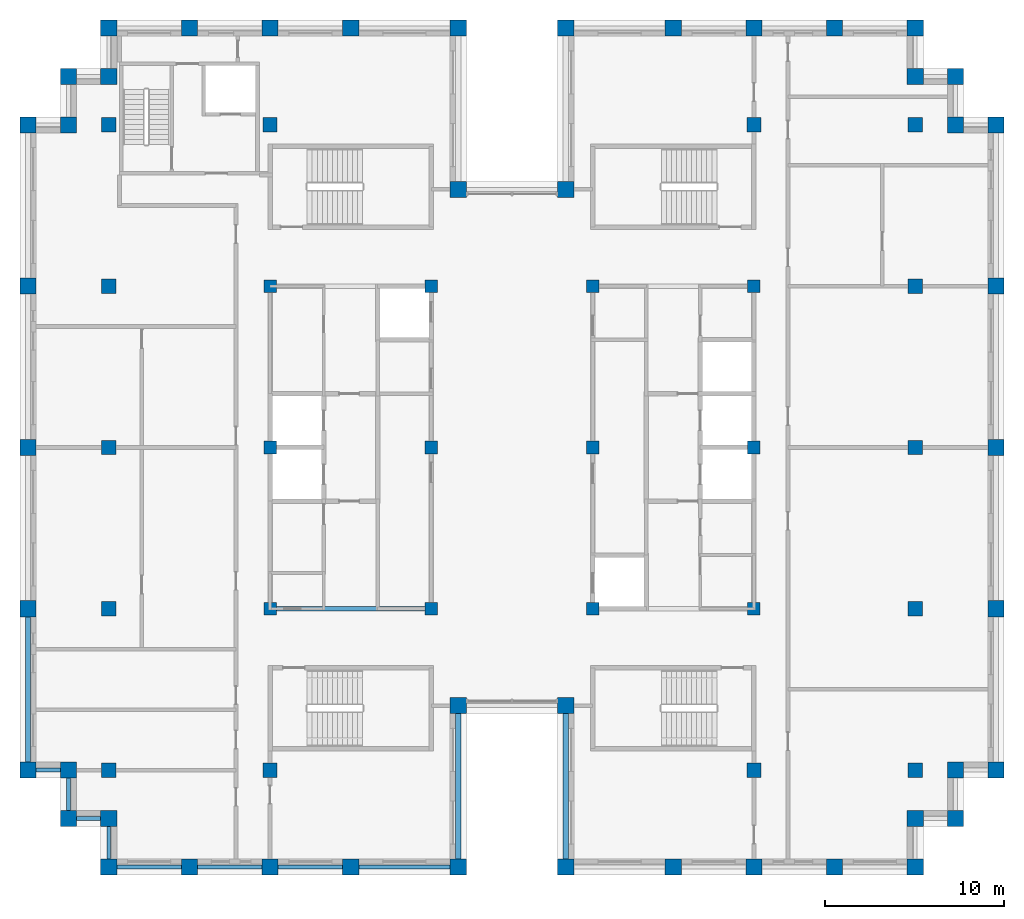
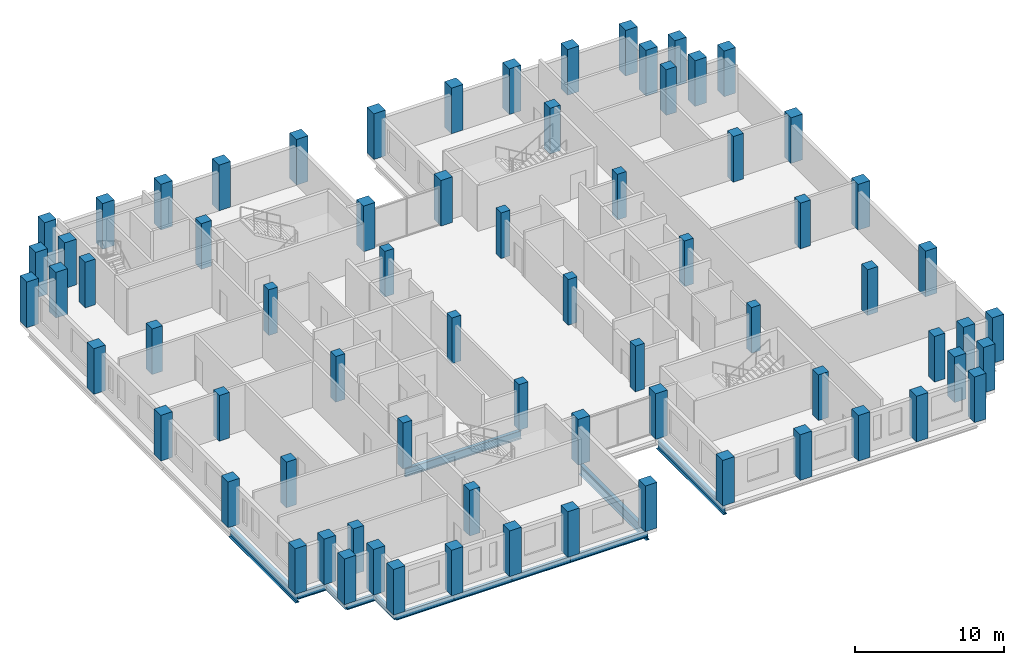
# One storey, part 1 of 13: 72 columns, 12 beams.
"""IFC4 building model written with IfcOpenShell, lengths in metres."""

from ifc_helpers import new_model, si_unit, direction, frame, origin, origin_2d, place, context, subcontext, project, spatial, rectangle, i_section, extrude, material, material_profile, profile_set, type_object, element, save


model = new_model("IFC4")

# Units and contexts
model_context = context("Model", 3, precision=1e-05, world=origin(), true_north=direction((0.0, 1.0)))
body_context = subcontext(model_context, "Body", "Model", "MODEL_VIEW")
ifc_project = project(units=[si_unit("LENGTHUNIT", "METRE"), si_unit("AREAUNIT", "SQUARE_METRE"), si_unit("VOLUMEUNIT", "CUBIC_METRE"), si_unit("PLANEANGLEUNIT", "RADIAN"), si_unit("MASSUNIT", "GRAM", prefix="KILO")], contexts=[model_context])

# Site, building, storey
site_placement = place(None, origin())
site = spatial("IfcSite", under=ifc_project, at=site_placement, CompositionType="ELEMENT")
building_placement = place(site_placement, origin())
building = spatial("IfcBuilding", under=site, at=building_placement, Name="Corbelhall Arena Tower", CompositionType="ELEMENT")
storey_placement = place(building_placement, frame((0.0, 0.0, 308.0)))
storey = spatial("IfcBuildingStorey", under=building, at=storey_placement, Name="L67", CompositionType="ELEMENT", Elevation=308.0)

# Columns
ifc_material_1 = material(Name="Concrete C80/95", Category="concrete")
ifc_material_profile_1 = material_profile(ifc_material_1, rectangle(XDim=0.699951171875, YDim=0.699951171875, at=origin_2d()))
ifc_profile_set_1 = profile_set([ifc_material_profile_1], Name="Concrete C80/95")
column_type_1 = type_object("IfcColumnType", Name="ST-COL-RC 700x700", PredefinedType="COLUMN", material=ifc_profile_set_1)
for number, where, z_axis, x_axis, name in (
    (1, (4.5, 0.0, 0.0), (0.0, 0.0, 1.0), (1.0, 0.0, 0.0), "Column KE+0450+0000"),
    (2, (4.5, 9.0, 0.0), (0.0, 0.0, 1.0), (1.0, 0.0, 0.0), "Column KE+0450+0900"),
    (3, (4.5, -9.0, 0.0), (0.0, 0.0, 1.0), (1.0, 0.0, 0.0), "Column KE+0450-0900"),
    (4, (13.5, 0.0, 0.0), (0.0, 0.0, 1.0), (1.0, 0.0, 0.0), "Column KE+1350+0000"),
    (5, (13.5, 9.0, 0.0), (0.0, 0.0, 1.0), (1.0, 0.0, 0.0), "Column KE+1350+0900"),
    (6, (13.5, -9.0, 0.0), (0.0, 0.0, 1.0), (1.0, 0.0, 0.0), "Column KE+1350-0900"),
    (7, (-4.5, 0.0, 0.0), (0.0, 0.0, 1.0), (1.0, 0.0, 0.0), "Column KW-0450+0000"),
    (8, (-4.5, 9.0, 0.0), (0.0, 0.0, 1.0), (1.0, 0.0, 0.0), "Column KW-0450+0900"),
    (9, (-4.5, -9.0, 0.0), (0.0, 0.0, 1.0), (1.0, 0.0, 0.0), "Column KW-0450-0900"),
    (10, (-13.5, 0.0, 0.0), (0.0, 0.0, 1.0), (1.0, 0.0, 0.0), "Column KW-1350+0000"),
    (11, (-13.5, 9.0, 0.0), (0.0, 0.0, 1.0), (1.0, 0.0, 0.0), "Column KW-1350+0900"),
    (12, (-13.5, -9.0, 0.0), (0.0, 0.0, 1.0), (1.0, 0.0, 0.0), "Column KW-1350-0900"),
):
    element("IfcColumn", number, at=place(storey_placement, frame(where, z_axis=z_axis, x_axis=x_axis)), inside=storey, type_object=column_type_1, Name=name, PredefinedType="COLUMN", context=body_context, shape_type="SweptSolid", body=[
        extrude(rectangle(XDim=0.699951171875, YDim=0.699951171875, at=origin_2d()), origin(), (0.0, 0.0, 1.0), 3.739990234375),
    ])
ifc_material_profile_2 = material_profile(ifc_material_1, rectangle(XDim=0.800048828125, YDim=0.800048828125, at=origin_2d()))
ifc_profile_set_2 = profile_set([ifc_material_profile_2], Name="Concrete C80/95")
column_type_2 = type_object("IfcColumnType", Name="ST-COL-RC 800x800", PredefinedType="COLUMN", material=ifc_profile_set_2)
for number, where, z_axis, x_axis, name in (
    (13, (13.5, 18.0, 0.0), (0.0, 0.0, 1.0), (1.0, 0.0, 0.0), "Column IE13+1800"),
    (14, (13.5, -18.0, 0.0), (0.0, 0.0, 1.0), (1.0, 0.0, 0.0), "Column IE13-1800"),
    (15, (22.5, 0.0, 0.0), (0.0, 0.0, 1.0), (1.0, 0.0, 0.0), "Column IE22+0000"),
    (16, (22.5, 9.0, 0.0), (0.0, 0.0, 1.0), (1.0, 0.0, 0.0), "Column IE22+0900"),
    (17, (22.5, 18.0, 0.0), (0.0, 0.0, 1.0), (1.0, 0.0, 0.0), "Column IE22+1800"),
    (18, (22.5, -9.0, 0.0), (0.0, 0.0, 1.0), (1.0, 0.0, 0.0), "Column IE22-0900"),
    (19, (22.5, -18.0, 0.0), (0.0, 0.0, 1.0), (1.0, 0.0, 0.0), "Column IE22-1800"),
    (20, (-13.5, 18.0, 0.0), (0.0, 0.0, 1.0), (1.0, 0.0, 0.0), "Column IW13+1800"),
    (21, (-13.5, -18.0, 0.0), (0.0, 0.0, 1.0), (1.0, 0.0, 0.0), "Column IW13-1800"),
    (22, (-22.5, 0.0, 0.0), (0.0, 0.0, 1.0), (1.0, 0.0, 0.0), "Column IW22+0000"),
    (23, (-22.5, 9.0, 0.0), (0.0, 0.0, 1.0), (1.0, 0.0, 0.0), "Column IW22+0900"),
    (24, (-22.5, 18.0, 0.0), (0.0, 0.0, 1.0), (1.0, 0.0, 0.0), "Column IW22+1800"),
    (25, (-22.5, -9.0, 0.0), (0.0, 0.0, 1.0), (1.0, 0.0, 0.0), "Column IW22-0900"),
    (26, (-22.5, -18.0, 0.0), (0.0, 0.0, 1.0), (1.0, 0.0, 0.0), "Column IW22-1800"),
):
    element("IfcColumn", number, at=place(storey_placement, frame(where, z_axis=z_axis, x_axis=x_axis)), inside=storey, type_object=column_type_2, Name=name, PredefinedType="COLUMN", context=body_context, shape_type="SweptSolid", body=[
        extrude(rectangle(XDim=0.800048828125, YDim=0.800048828125, at=origin_2d()), origin(), (0.0, 0.0, 1.0), 3.739990234375),
    ])
ifc_material_profile_3 = material_profile(ifc_material_1, rectangle(XDim=0.89990234375, YDim=0.89990234375, at=origin_2d()))
ifc_profile_set_3 = profile_set([ifc_material_profile_3], Name="Concrete C80/95")
column_type_3 = type_object("IfcColumnType", Name="ST-COL-RC 900x900", PredefinedType="COLUMN", material=ifc_profile_set_3)
for number, where, z_axis, x_axis, name in (
    (27, (27.0, 0.0, 0.0), (0.0, 0.0, 1.0), (0.0, 1.0, 0.0), "Column PE+0000"),
    (28, (27.0, 9.0, 0.0), (0.0, 0.0, 1.0), (0.0, 1.0, 0.0), "Column PE+0900"),
    (29, (27.0, 18.0, 0.0), (0.0, 0.0, 1.0), (0.0, 1.0, 0.0), "Column PE+1800"),
    (30, (27.0, -9.0, 0.0), (0.0, 0.0, 1.0), (0.0, 1.0, 0.0), "Column PE-0900"),
    (31, (27.0, -18.0, 0.0), (0.0, 0.0, 1.0), (0.0, 1.0, 0.0), "Column PE-1800"),
    (32, (3.0, 23.39990234375, 0.0), (0.0, 0.0, 1.0), (1.0, 0.0, 0.0), "Column PNE0300"),
    (33, (9.0, 23.39990234375, 0.0), (0.0, 0.0, 1.0), (1.0, 0.0, 0.0), "Column PNE0900"),
    (34, (13.5, 23.39990234375, 0.0), (0.0, 0.0, 1.0), (1.0, 0.0, 0.0), "Column PNE1350"),
    (35, (18.0, 23.39990234375, 0.0), (0.0, 0.0, 1.0), (1.0, 0.0, 0.0), "Column PNE1800"),
    (36, (22.5, 23.39990234375, 0.0), (0.0, 0.0, 1.0), (1.0, 0.0, 0.0), "Column PNE2250"),
    (37, (-3.0, 23.39990234375, 0.0), (0.0, 0.0, 1.0), (1.0, 0.0, 0.0), "Column PNW0300"),
    (38, (-9.0, 23.39990234375, 0.0), (0.0, 0.0, 1.0), (1.0, 0.0, 0.0), "Column PNW0900"),
    (39, (-13.5, 23.39990234375, 0.0), (0.0, 0.0, 1.0), (1.0, 0.0, 0.0), "Column PNW1350"),
    (40, (-18.0, 23.39990234375, 0.0), (0.0, 0.0, 1.0), (1.0, 0.0, 0.0), "Column PNW1800"),
    (41, (-22.5, 23.39990234375, 0.0), (0.0, 0.0, 1.0), (1.0, 0.0, 0.0), "Column PNW2250"),
    (42, (3.0, -23.39990234375, 0.0), (0.0, 0.0, 1.0), (1.0, 0.0, 0.0), "Column PSE0300"),
    (43, (9.0, -23.39990234375, 0.0), (0.0, 0.0, 1.0), (1.0, 0.0, 0.0), "Column PSE0900"),
    (44, (13.5, -23.39990234375, 0.0), (0.0, 0.0, 1.0), (1.0, 0.0, 0.0), "Column PSE1350"),
    (45, (18.0, -23.39990234375, 0.0), (0.0, 0.0, 1.0), (1.0, 0.0, 0.0), "Column PSE1800"),
    (46, (22.5, -23.39990234375, 0.0), (0.0, 0.0, 1.0), (1.0, 0.0, 0.0), "Column PSE2250"),
    (47, (-3.0, -23.39990234375, 0.0), (0.0, 0.0, 1.0), (1.0, 0.0, 0.0), "Column PSW0300"),
    (48, (-9.0, -23.39990234375, 0.0), (0.0, 0.0, 1.0), (1.0, 0.0, 0.0), "Column PSW0900"),
    (49, (-13.5, -23.39990234375, 0.0), (0.0, 0.0, 1.0), (1.0, 0.0, 0.0), "Column PSW1350"),
    (50, (-18.0, -23.39990234375, 0.0), (0.0, 0.0, 1.0), (1.0, 0.0, 0.0), "Column PSW1800"),
    (51, (-22.5, -23.39990234375, 0.0), (0.0, 0.0, 1.0), (1.0, 0.0, 0.0), "Column PSW2250"),
    (52, (-27.0, 0.0, 0.0), (0.0, 0.0, 1.0), (0.0, 1.0, 0.0), "Column PW+0000"),
    (53, (-27.0, 9.0, 0.0), (0.0, 0.0, 1.0), (0.0, 1.0, 0.0), "Column PW+0900"),
    (54, (-27.0, 18.0, 0.0), (0.0, 0.0, 1.0), (0.0, 1.0, 0.0), "Column PW+1800"),
    (55, (-27.0, -9.0, 0.0), (0.0, 0.0, 1.0), (0.0, 1.0, 0.0), "Column PW-0900"),
    (56, (-27.0, -18.0, 0.0), (0.0, 0.0, 1.0), (0.0, 1.0, 0.0), "Column PW-1800"),
    (57, (3.0, 14.39990234375, 0.0), (0.0, 0.0, 1.0), (1.0, 0.0, 0.0), "Column SLNE2"),
    (58, (-3.0, 14.39990234375, 0.0), (0.0, 0.0, 1.0), (1.0, 0.0, 0.0), "Column SLNW2"),
    (59, (3.0, -14.39990234375, 0.0), (0.0, 0.0, 1.0), (1.0, 0.0, 0.0), "Column SLSE2"),
    (60, (-3.0, -14.39990234375, 0.0), (0.0, 0.0, 1.0), (1.0, 0.0, 0.0), "Column SLSW2"),
    (61, (22.5, 20.699951171875, 0.0), (0.0, 0.0, 1.0), (1.0, 0.0, 0.0), "Column XNE1"),
    (62, (24.75, 20.699951171875, 0.0), (0.0, 0.0, 1.0), (1.0, 0.0, 0.0), "Column XNE2"),
    (63, (24.75, 18.0, 0.0), (0.0, 0.0, 1.0), (1.0, 0.0, 0.0), "Column XNE3"),
    (64, (-22.5, 20.699951171875, 0.0), (0.0, 0.0, 1.0), (1.0, 0.0, 0.0), "Column XNW1"),
    (65, (-24.75, 20.699951171875, 0.0), (0.0, 0.0, 1.0), (1.0, 0.0, 0.0), "Column XNW2"),
    (66, (-24.75, 18.0, 0.0), (0.0, 0.0, 1.0), (1.0, 0.0, 0.0), "Column XNW3"),
    (67, (22.5, -20.699951171875, 0.0), (0.0, 0.0, 1.0), (1.0, 0.0, 0.0), "Column XSE1"),
    (68, (24.75, -20.699951171875, 0.0), (0.0, 0.0, 1.0), (1.0, 0.0, 0.0), "Column XSE2"),
    (69, (24.75, -18.0, 0.0), (0.0, 0.0, 1.0), (1.0, 0.0, 0.0), "Column XSE3"),
    (70, (-22.5, -20.699951171875, 0.0), (0.0, 0.0, 1.0), (1.0, 0.0, 0.0), "Column XSW1"),
    (71, (-24.75, -20.699951171875, 0.0), (0.0, 0.0, 1.0), (1.0, 0.0, 0.0), "Column XSW2"),
    (72, (-24.75, -18.0, 0.0), (0.0, 0.0, 1.0), (1.0, 0.0, 0.0), "Column XSW3"),
):
    element("IfcColumn", number, at=place(storey_placement, frame(where, z_axis=z_axis, x_axis=x_axis)), inside=storey, type_object=column_type_3, Name=name, PredefinedType="COLUMN", context=body_context, shape_type="SweptSolid", body=[
        extrude(rectangle(XDim=0.89990234375, YDim=0.89990234375, at=origin_2d()), origin(), (0.0, 0.0, 1.0), 3.739990234375),
    ])

# Beams
ifc_material_2 = material(Name="Steel ASTM A992 Gr50", Category="steel")
ifc_material_profile_4 = material_profile(ifc_material_2, i_section(OverallWidth=0.25390625, OverallDepth=0.67822265625, WebThickness=0.01171875, FlangeThickness=0.016357421875, at=origin_2d()))
ifc_profile_set_4 = profile_set([ifc_material_profile_4], Name="Steel ASTM A992 Gr50")
beam_type_1 = type_object("IfcBeamType", Name="ST-BEAM-W27x84", PredefinedType="BEAM", material=ifc_profile_set_4)
beam_1_placement = place(storey_placement, frame((-13.5, -9.0, -0.59912109375), z_axis=(1.0, 0.0, 0.0), x_axis=(0.0, 1.0, 0.0)))
element("IfcBeam", 73, at=beam_1_placement, inside=storey, type_object=beam_type_1, Name="Beam CEW 5", PredefinedType="BEAM", context=body_context, shape_type="SweptSolid", body=[
    extrude(i_section(OverallWidth=0.25390625, OverallDepth=0.67822265625, WebThickness=0.01171875, FlangeThickness=0.016357421875, at=origin_2d()), origin(), (0.0, 0.0, 1.0), 9.0),
])
ifc_material_profile_5 = material_profile(ifc_material_2, i_section(OverallWidth=0.209228515625, OverallDepth=0.533447265625, WebThickness=0.01025390625, FlangeThickness=0.015625, at=origin_2d()))
ifc_profile_set_5 = profile_set([ifc_material_profile_5], Name="Steel ASTM A992 Gr50")
beam_type_2 = type_object("IfcBeamType", Name="ST-SPANDREL-W21x62", PredefinedType="SPANDREL", material=ifc_profile_set_5)
beam_2_placement = place(storey_placement, frame((-3.0, -23.39990234375, -0.526611328125), z_axis=(-1.0, 0.0, 0.0), x_axis=(0.0, -1.0, 0.0)))
element("IfcBeam", 74, at=beam_2_placement, inside=storey, type_object=beam_type_2, Name="Beam SP 21", PredefinedType="SPANDREL", context=body_context, shape_type="SweptSolid", body=[
    extrude(i_section(OverallWidth=0.209228515625, OverallDepth=0.533447265625, WebThickness=0.01025390625, FlangeThickness=0.015625, at=origin_2d()), origin(), (0.0, 0.0, 1.0), 6.0),
])
for number, where, z_axis, x_axis, name in (
    (75, (-9.0, -23.39990234375, -0.526611328125), (-1.0, 0.0, 0.0), (0.0, -1.0, 0.0), "Beam SP 22"),
    (76, (-13.5, -23.39990234375, -0.526611328125), (-1.0, 0.0, 0.0), (0.0, -1.0, 0.0), "Beam SP 23"),
    (77, (-18.0, -23.39990234375, -0.526611328125), (-1.0, 0.0, 0.0), (0.0, -1.0, 0.0), "Beam SP 24"),
):
    element("IfcBeam", number, at=place(storey_placement, frame(where, z_axis=z_axis, x_axis=x_axis)), inside=storey, type_object=beam_type_2, Name=name, PredefinedType="SPANDREL", context=body_context, shape_type="SweptSolid", body=[
        extrude(i_section(OverallWidth=0.209228515625, OverallDepth=0.533447265625, WebThickness=0.01025390625, FlangeThickness=0.015625, at=origin_2d()), origin(), (0.0, 0.0, 1.0), 4.5),
    ])
beam_3_placement = place(storey_placement, frame((-22.5, -23.39990234375, -0.526611328125), z_axis=(0.0, 1.0, 0.0), x_axis=(-1.0, 0.0, 0.0)))
element("IfcBeam", 78, at=beam_3_placement, inside=storey, type_object=beam_type_2, Name="Beam SP 25", PredefinedType="SPANDREL", context=body_context, shape_type="SweptSolid", body=[
    extrude(i_section(OverallWidth=0.209228515625, OverallDepth=0.533447265625, WebThickness=0.01025390625, FlangeThickness=0.015625, at=origin_2d()), origin(), (0.0, 0.0, 1.0), 2.699951171875),
])
beam_4_placement = place(storey_placement, frame((-22.5, -20.699951171875, -0.526611328125), z_axis=(-1.0, 0.0, 0.0), x_axis=(0.0, -1.0, 0.0)))
element("IfcBeam", 79, at=beam_4_placement, inside=storey, type_object=beam_type_2, Name="Beam SP 44", PredefinedType="SPANDREL", context=body_context, shape_type="SweptSolid", body=[
    extrude(i_section(OverallWidth=0.209228515625, OverallDepth=0.533447265625, WebThickness=0.01025390625, FlangeThickness=0.015625, at=origin_2d()), origin(), (0.0, 0.0, 1.0), 2.25),
])
beam_5_placement = place(storey_placement, frame((-24.75, -20.699951171875, -0.526611328125), z_axis=(0.0, 1.0, 0.0), x_axis=(-1.0, 0.0, 0.0)))
element("IfcBeam", 80, at=beam_5_placement, inside=storey, type_object=beam_type_2, Name="Beam SP 45", PredefinedType="SPANDREL", context=body_context, shape_type="SweptSolid", body=[
    extrude(i_section(OverallWidth=0.209228515625, OverallDepth=0.533447265625, WebThickness=0.01025390625, FlangeThickness=0.015625, at=origin_2d()), origin(), (0.0, 0.0, 1.0), 2.699951171875),
])
beam_6_placement = place(storey_placement, frame((-24.75, -18.0, -0.526611328125), z_axis=(-1.0, 0.0, 0.0), x_axis=(0.0, -1.0, 0.0)))
element("IfcBeam", 81, at=beam_6_placement, inside=storey, type_object=beam_type_2, Name="Beam SP 46", PredefinedType="SPANDREL", context=body_context, shape_type="SweptSolid", body=[
    extrude(i_section(OverallWidth=0.209228515625, OverallDepth=0.533447265625, WebThickness=0.01025390625, FlangeThickness=0.015625, at=origin_2d()), origin(), (0.0, 0.0, 1.0), 2.25),
])
ifc_material_profile_6 = material_profile(ifc_material_2, i_section(OverallWidth=0.2919921875, OverallDepth=0.845703125, WebThickness=0.015380859375, FlangeThickness=0.0244140625, at=origin_2d()))
ifc_profile_set_6 = profile_set([ifc_material_profile_6], Name="Steel ASTM A992 Gr50")
beam_type_3 = type_object("IfcBeamType", Name="ST-SPANDREL-W33x141", PredefinedType="SPANDREL", material=ifc_profile_set_6)
for number, where, z_axis, x_axis, name in (
    (82, (3.0, -23.39990234375, -0.682861328125), (0.0, 1.0, 0.0), (-1.0, 0.0, 0.0), "Beam SP 16"),
    (83, (-27.0, -18.0, -0.682861328125), (0.0, 1.0, 0.0), (-1.0, 0.0, 0.0), "Beam SP 30"),
    (84, (-3.0, -14.39990234375, -0.682861328125), (0.0, -1.0, 0.0), (1.0, 0.0, 0.0), "Beam SP 34"),
):
    element("IfcBeam", number, at=place(storey_placement, frame(where, z_axis=z_axis, x_axis=x_axis)), inside=storey, type_object=beam_type_3, Name=name, PredefinedType="SPANDREL", context=body_context, shape_type="SweptSolid", body=[
        extrude(i_section(OverallWidth=0.2919921875, OverallDepth=0.845703125, WebThickness=0.015380859375, FlangeThickness=0.0244140625, at=origin_2d()), origin(), (0.0, 0.0, 1.0), 9.0),
    ])

save(model, "model.ifc")
